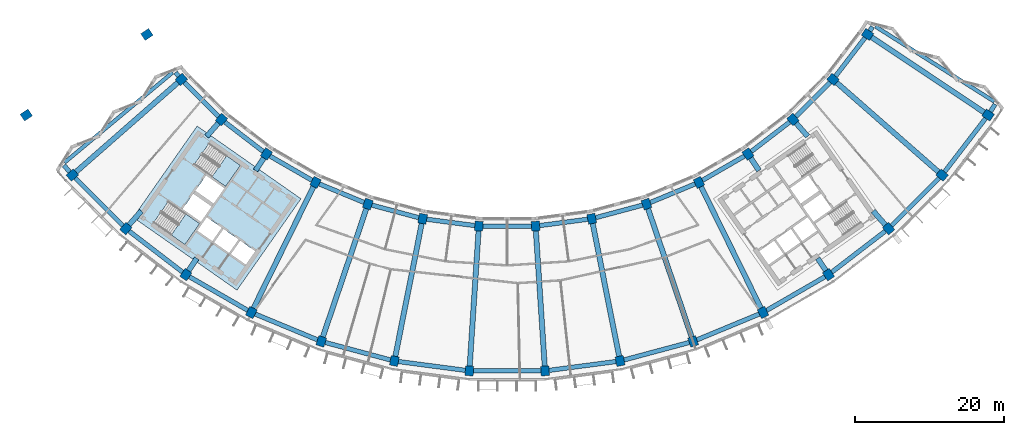
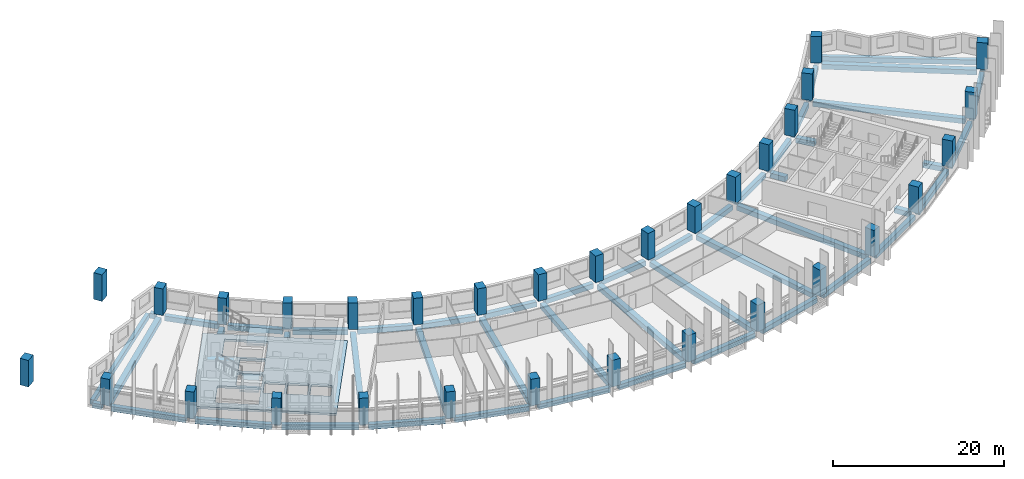
# One storey, part 1 of 26: 53 beams, 32 columns, 3 slabs, 2 elements without a shape of their own.
"""IFC4 building model written with IfcOpenShell, lengths in metres."""

import ifcopenshell
import ifcopenshell.guid

model = None  # the IFC model being written
_history = None  # IfcOwnerHistory: only IFC2X3 demands one
_inside = {}  # id of a spatial element -> (the spatial element, [elements in it])
_under = {}  # id of a project, library or spatial element -> (it, [spatial elements below it])
_declared = {}  # id of a project -> (the project, [libraries it declares])
_typed = {}  # id of a type object -> (the type object, [elements of that type])
_made_of = {}  # id of a material, layer set ... -> (it, [elements and type objects made of it])


def new_model(schema):
    """Start an empty IFC model of exactly this schema.

    Asked for "IFC4X3", IfcOpenShell would pick the latest addendum, in which some entities
    have other attributes; the version numbers below select the first issue.
    IFC2X3 requires an IfcOwnerHistory on every rooted entity: one is made here for all.
    """
    global model, _history
    if schema == "IFC4X3":
        model = ifcopenshell.file(schema_version=(4, 3, 0, 0))
    else:
        model = ifcopenshell.file(schema=schema)
    _inside.clear()
    _under.clear()
    _declared.clear()
    _typed.clear()
    _made_of.clear()
    _history = None
    if model.schema == "IFC2X3":
        org = make("IfcOrganization", Name="unknown")
        user = make(
            "IfcPersonAndOrganization",
            ThePerson=make("IfcPerson", FamilyName="unknown"),
            TheOrganization=org,
        )
        app = make(
            "IfcApplication",
            ApplicationDeveloper=org,
            Version="unknown",
            ApplicationFullName="unknown",
            ApplicationIdentifier="unknown",
        )
        _history = make(
            "IfcOwnerHistory",
            OwningUser=user,
            OwningApplication=app,
            ChangeAction="ADDED",
            CreationDate=0,
        )
    return model


def make(cls, **values):
    """One entity of the class cls with the attributes given. An attribute that is None is left unset."""
    return model.create_entity(
        cls, **{name: value for name, value in values.items() if value is not None}
    )


def rooted(cls, **values):
    """An entity with a GlobalId (a new one), such as an element, a storey or a relation."""
    return make(cls, GlobalId=ifcopenshell.guid.new(), OwnerHistory=_history, **values)


def si_unit(unit_type, name, prefix=None):
    """IfcSIUnit, for example si_unit("LENGTHUNIT", "METRE", prefix="MILLI")."""
    return make("IfcSIUnit", UnitType=unit_type, Prefix=prefix, Name=name)


def assignment(units):
    """IfcUnitAssignment: the units of a project."""
    return None if units is None else make("IfcUnitAssignment", Units=units)


def point(xyz):
    """IfcCartesianPoint."""
    return None if xyz is None else make("IfcCartesianPoint", Coordinates=xyz)


def direction(xyz):
    """IfcDirection."""
    return None if xyz is None else make("IfcDirection", DirectionRatios=xyz)


def frame(location, z_axis=None, x_axis=None):
    """IfcAxis2Placement3D, a coordinate frame: its origin and axes. An axis left out is left unset."""
    return make(
        "IfcAxis2Placement3D",
        Location=point(location),
        Axis=direction(z_axis),
        RefDirection=direction(x_axis),
    )


def frame_2d(location, x_axis=None):
    """IfcAxis2Placement2D, a coordinate frame in the plane: its origin and x axis."""
    return make(
        "IfcAxis2Placement2D", Location=point(location), RefDirection=direction(x_axis)
    )


def origin():
    """The frame at (0, 0, 0) with its axes left unset."""
    return frame((0.0, 0.0, 0.0))


def origin_2d():
    """The frame at (0, 0) in the plane with its x axis left unset."""
    return frame_2d((0.0, 0.0))


def place(relative_to, where):
    """IfcLocalPlacement: puts the frame where relative to a parent placement (None: the world)."""
    return make(
        "IfcLocalPlacement", PlacementRelTo=relative_to, RelativePlacement=where
    )


def context(
    kind, dimensions, precision=None, world=None, true_north=None, identifier=None
):
    """IfcGeometricRepresentationContext, for example the 3D "Model" context."""
    return make(
        "IfcGeometricRepresentationContext",
        ContextIdentifier=identifier,
        ContextType=kind,
        CoordinateSpaceDimension=dimensions,
        Precision=precision,
        WorldCoordinateSystem=world,
        TrueNorth=true_north,
    )


def subcontext(parent, identifier, kind, view, scale=None):
    """IfcGeometricRepresentationSubContext, for example "Body" below "Model"."""
    return make(
        "IfcGeometricRepresentationSubContext",
        ContextIdentifier=identifier,
        ContextType=kind,
        ParentContext=parent,
        TargetScale=scale,
        TargetView=view,
    )


def project(units=None, contexts=None):
    """IfcProject with its units and contexts."""
    return rooted(
        "IfcProject",
        Name="project",
        RepresentationContexts=contexts,
        UnitsInContext=assignment(units),
    )


def spatial(cls, under=None, at=None, **own):
    """A site, building, storey or space (cls), placed at a placement, below another one or the project."""
    s = rooted(cls, ObjectPlacement=at, **own)
    if under is not None:
        _under.setdefault(under.id(), (under, []))[1].append(s)
    return s


def polyline(points):
    """IfcPolyline through the points."""
    return make("IfcPolyline", Points=[point(p) for p in points])


def profile(cls, at=None, kind="AREA", **sizes):
    """A parametric profile (cls). Its sizes go by their IFC names, for example OverallWidth=200.0."""
    return make(cls, ProfileType=kind, Position=at, **sizes)


def rectangle(**sizes):
    """IfcRectangleProfileDef."""
    return profile("IfcRectangleProfileDef", **sizes)


def outline(outer, holes=None, kind="AREA"):
    """IfcArbitraryClosedProfileDef: a profile drawn as a closed curve; with holes, ...WithVoids."""
    if holes is None:
        return make("IfcArbitraryClosedProfileDef", ProfileType=kind, OuterCurve=outer)
    return make(
        "IfcArbitraryProfileDefWithVoids",
        ProfileType=kind,
        OuterCurve=outer,
        InnerCurves=holes,
    )


def extrude(swept, where, along, depth):
    """IfcExtrudedAreaSolid: the profile swept, set in the frame where, extruded along a direction by depth."""
    return make(
        "IfcExtrudedAreaSolid",
        SweptArea=swept,
        Position=where,
        ExtrudedDirection=direction(along),
        Depth=depth,
    )


def shape(context_of_items, identifier, shape_type, items):
    """IfcShapeRepresentation: the items that make up one representation, for example the "Body"."""
    return make(
        "IfcShapeRepresentation",
        ContextOfItems=context_of_items,
        RepresentationIdentifier=identifier,
        RepresentationType=shape_type,
        Items=items,
    )


def material(Name=None, Category=None):
    """IfcMaterial."""
    return make("IfcMaterial", Name=Name, Category=Category)


def layer(
    of_material, thickness, ventilated=None, Name=None, Category=None, Priority=None
):
    """IfcMaterialLayer: one layer of a wall or slab, of a material (None: an air gap)."""
    return make(
        "IfcMaterialLayer",
        Material=of_material,
        LayerThickness=thickness,
        IsVentilated=ventilated,
        Name=Name,
        Category=Category,
        Priority=Priority,
    )


def layer_set(layers, Name=None):
    """IfcMaterialLayerSet."""
    return make("IfcMaterialLayerSet", MaterialLayers=layers, LayerSetName=Name)


def material_profile(
    of_material, cross_section, Name=None, Category=None, Priority=None
):
    """IfcMaterialProfile: a cross section and its material."""
    return make(
        "IfcMaterialProfile",
        Name=Name,
        Material=of_material,
        Profile=cross_section,
        Priority=Priority,
        Category=Category,
    )


def profile_set(profiles, Name=None, composite=None):
    """IfcMaterialProfileSet."""
    return make(
        "IfcMaterialProfileSet",
        Name=Name,
        MaterialProfiles=profiles,
        CompositeProfile=composite,
    )


def made_of(thing, what):
    """Note that an element or type object is made of a material, layer set ...; save() writes the relation."""
    if what is not None:
        _made_of.setdefault(what.id(), (what, []))[1].append(thing)
    return thing


def type_object(cls, material=None, **own):
    """A type object (cls), such as IfcWallType, which elements share."""
    return made_of(rooted(cls, **own), material)


def element(
    cls,
    number,
    at=None,
    inside=None,
    cuts=None,
    type_object=None,
    material=None,
    context=None,
    identifier="Body",
    shape_type=None,
    held_by="IfcProductDefinitionShape",
    body=None,
    shapes=None,
    **own,
):
    """One element of the class cls, such as IfcWall. Its Tag is "e" and its number.

    at: its placement. inside: the storey or other place that contains it. cuts: it is an
    opening in that element (IfcRelVoidsElement). A single representation is given by context,
    identifier, shape_type and body (its items); several are given by shapes. held_by: the class
    of the entity that holds the representations. save() writes the other relations.
    """
    e = rooted(cls, Tag="e%d" % number, ObjectPlacement=at, **own)
    if body is not None:
        shapes = [shape(context, identifier, shape_type, body)]
    if shapes is not None:
        e.Representation = make(held_by, Representations=shapes)
    if inside is not None:
        _inside.setdefault(inside.id(), (inside, []))[1].append(e)
    if cuts is not None:
        rooted(
            "IfcRelVoidsElement", RelatingBuildingElement=cuts, RelatedOpeningElement=e
        )
    if type_object is not None:
        _typed.setdefault(type_object.id(), (type_object, []))[1].append(e)
    return made_of(e, material)


def aggregate(whole, parts):
    """IfcRelAggregates: a whole, such as a stair, and the parts it consists of."""
    return rooted("IfcRelAggregates", RelatingObject=whole, RelatedObjects=parts)


def save(model, path):
    """Write the relations noted so far, then the file.

    IfcRelAggregates (storeys below a building ...), IfcRelContainedInSpatialStructure (elements
    in a storey), IfcRelDefinesByType, IfcRelAssociatesMaterial and IfcRelDeclares: one each for
    every whole, place, type object, material and project.
    """
    for whole, parts in _under.values():
        aggregate(whole, parts)
    for where, things in _inside.values():
        rooted(
            "IfcRelContainedInSpatialStructure",
            RelatedElements=things,
            RelatingStructure=where,
        )
    for kind, things in _typed.values():
        rooted("IfcRelDefinesByType", RelatedObjects=things, RelatingType=kind)
    for what, things in _made_of.values():
        rooted("IfcRelAssociatesMaterial", RelatedObjects=things, RelatingMaterial=what)
    for by, libraries in _declared.values():
        rooted("IfcRelDeclares", RelatingContext=by, RelatedDefinitions=libraries)
    model.write(path)


model = new_model("IFC4")

# Units and contexts
model_context = context("Model", 3, precision=1e-05, world=origin(), true_north=direction((0.0, 1.0)))
body_context = subcontext(model_context, "Body", "Model", "MODEL_VIEW")
ifc_project = project(units=[si_unit("LENGTHUNIT", "METRE"), si_unit("AREAUNIT", "SQUARE_METRE"), si_unit("VOLUMEUNIT", "CUBIC_METRE"), si_unit("PLANEANGLEUNIT", "RADIAN"), si_unit("MASSUNIT", "GRAM", prefix="KILO")], contexts=[model_context])

# Site, building, storey
site_placement = place(None, origin())
site = spatial("IfcSite", under=ifc_project, at=site_placement, CompositionType="ELEMENT")
building_placement = place(site_placement, origin())
building = spatial("IfcBuilding", under=site, at=building_placement, Name="Qamariyya Broadcast Tower", CompositionType="ELEMENT")
storey_placement = place(building_placement, frame((0.0, 0.0, 156.89990234375)))
storey = spatial("IfcBuildingStorey", under=building, at=storey_placement, Name="L36", CompositionType="ELEMENT", Elevation=156.89990234375)

# Columns
ifc_material_1 = material(Name="Concrete C60/75", Category="concrete")
ifc_material_profile_1 = material_profile(ifc_material_1, rectangle(XDim=1.10009765625, YDim=1.300048828125, at=origin_2d()))
ifc_profile_set_1 = profile_set([ifc_material_profile_1], Name="Concrete C60/75")
column_type = type_object("IfcColumnType", Name="RC column 1100 x 1300 C60/75", PredefinedType="COLUMN", material=ifc_profile_set_1)
for number, where, z_axis, x_axis, name in (
    (1, (-43.794677734375, -38.406982421875, 0.0), (0.0, 0.0, 1.0), (0.6593458151, -0.751839807479, 0.0), "Column C8 L36 B-R04"),
    (2, (-58.45556640625, -51.26416015625, 0.0), (0.0, 0.0, 1.0), (0.6593458151, -0.751839807479, 0.0), "Column C8 L36 C-R04"),
    (3, (-38.406982421875, -43.794677734375, 0.0), (0.0, 0.0, 1.0), (0.751839807479, -0.6593458151, 0.0), "Column C8 L36 B-R05"),
    (4, (-51.26416015625, -58.45556640625, 0.0), (0.0, 0.0, 1.0), (0.751839807479, -0.6593458151, 0.0), "Column C8 L36 C-R05"),
    (5, (-32.362060546875, -48.43310546875, 0.0), (0.0, 0.0, 1.0), (0.831469612303, -0.55557023302, 0.0), "Column C8 L36 B-R06"),
    (6, (-43.195556640625, -64.646728515625, 0.0), (0.0, 0.0, 1.0), (0.831469612303, -0.55557023302, 0.0), "Column C8 L36 C-R06"),
    (7, (-25.763427734375, -52.242919921875, 0.0), (0.0, 0.0, 1.0), (0.896872741533, -0.442288690219, 0.0), "Column C8 L36 B-R07"),
    (8, (-34.387939453125, -69.73193359375, 0.0), (0.0, 0.0, 1.0), (0.896872741533, -0.442288690219, 0.0), "Column C8 L36 C-R07"),
    (9, (-18.723876953125, -55.15869140625, 0.0), (0.0, 0.0, 1.0), (0.946930129495, -0.321439465303, 0.0), "Column C8 L36 B-R08"),
    (10, (-24.991943359375, -73.623779296875, 0.0), (0.0, 0.0, 1.0), (0.946930129495, -0.321439465303, 0.0), "Column C8 L36 C-R08"),
    (11, (-11.364013671875, -57.130859375, 0.0), (0.0, 0.0, 1.0), (0.980785280403, -0.195090322016, 0.0), "Column C8 L36 B-R09"),
    (12, (-15.168212890625, -76.256103515625, 0.0), (0.0, 0.0, 1.0), (0.980785280403, -0.195090322016, 0.0), "Column C8 L36 C-R09"),
    (13, (-3.809814453125, -58.125244140625, 0.0), (0.0, 0.0, 1.0), (0.997858923239, -0.06540312923, 0.0), "Column C8 L36 B-R10"),
    (14, (-5.085205078125, -77.58349609375, 0.0), (0.0, 0.0, 1.0), (0.997858923239, -0.06540312923, 0.0), "Column C8 L36 C-R10"),
    (15, (3.809814453125, -58.125244140625, 0.0), (0.0, 0.0, 1.0), (0.997858923239, 0.06540312923, 0.0), "Column C8 L36 B-R11"),
    (16, (5.085205078125, -77.58349609375, 0.0), (0.0, 0.0, 1.0), (0.997858923239, 0.06540312923, 0.0), "Column C8 L36 C-R11"),
    (17, (11.364013671875, -57.130859375, 0.0), (0.0, 0.0, 1.0), (0.980785280403, 0.195090322016, 0.0), "Column C8 L36 B-R12"),
    (18, (15.168212890625, -76.256103515625, 0.0), (0.0, 0.0, 1.0), (0.980785280403, 0.195090322016, 0.0), "Column C8 L36 C-R12"),
    (19, (18.723876953125, -55.15869140625, 0.0), (0.0, 0.0, 1.0), (0.946930129495, 0.321439465303, 0.0), "Column C8 L36 B-R13"),
    (20, (24.991943359375, -73.623779296875, 0.0), (0.0, 0.0, 1.0), (0.946930129495, 0.321439465303, 0.0), "Column C8 L36 C-R13"),
    (21, (25.763427734375, -52.242919921875, 0.0), (0.0, 0.0, 1.0), (0.896872741533, 0.442288690219, 0.0), "Column C8 L36 B-R14"),
    (22, (34.387939453125, -69.73193359375, 0.0), (0.0, 0.0, 1.0), (0.896872741533, 0.442288690219, 0.0), "Column C8 L36 C-R14"),
    (23, (32.362060546875, -48.43310546875, 0.0), (0.0, 0.0, 1.0), (0.831469612303, 0.55557023302, 0.0), "Column C8 L36 B-R15"),
    (24, (43.195556640625, -64.646728515625, 0.0), (0.0, 0.0, 1.0), (0.831469612303, 0.55557023302, 0.0), "Column C8 L36 C-R15"),
    (25, (38.406982421875, -43.794677734375, 0.0), (0.0, 0.0, 1.0), (0.751839807479, 0.6593458151, 0.0), "Column C8 L36 B-R16"),
    (26, (51.26416015625, -58.45556640625, 0.0), (0.0, 0.0, 1.0), (0.751839807479, 0.6593458151, 0.0), "Column C8 L36 C-R16"),
    (27, (43.794677734375, -38.406982421875, 0.0), (0.0, 0.0, 1.0), (0.6593458151, 0.751839807479, 0.0), "Column C8 L36 B-R17"),
    (28, (58.45556640625, -51.26416015625, 0.0), (0.0, 0.0, 1.0), (0.6593458151, 0.751839807479, 0.0), "Column C8 L36 C-R17"),
    (29, (48.43310546875, -32.362060546875, 0.0), (0.0, 0.0, 1.0), (0.55557023302, 0.831469612303, 0.0), "Column C8 L36 B-R18"),
    (30, (64.646728515625, -43.195556640625, 0.0), (0.0, 0.0, 1.0), (0.55557023302, 0.831469612303, 0.0), "Column C8 L36 C-R18"),
    (31, (-48.43310546875, -32.362060546875, 0.0), (0.0, 0.0, 1.0), (0.55557023302, -0.831469612303, 0.0), "Column C8 L36 B-R03"),
    (32, (-64.646728515625, -43.195556640625, 0.0), (0.0, 0.0, 1.0), (0.55557023302, -0.831469612303, 0.0), "Column C8 L36 C-R03"),
):
    element("IfcColumn", number, at=place(storey_placement, frame(where, z_axis=z_axis, x_axis=x_axis)), inside=storey, type_object=column_type, Name=name, PredefinedType="COLUMN", context=body_context, shape_type="SweptSolid", body=[
        extrude(rectangle(XDim=1.10009765625, YDim=1.300048828125, at=origin_2d()), origin(), (0.0, 0.0, 1.0), 3.800048828125),
    ])

# Beams
ifc_material_2 = material(Name="Concrete C40/50", Category="concrete")
ifc_material_profile_2 = material_profile(ifc_material_2, rectangle(XDim=0.60009765625, YDim=0.699951171875, at=origin_2d()))
ifc_profile_set_2 = profile_set([ifc_material_profile_2], Name="Concrete C40/50")
beam_type_1 = type_object("IfcBeamType", Name="RC edge beam 600 x 700 C40/50", PredefinedType="SPANDREL", material=ifc_profile_set_2)
for number, where, z_axis, x_axis, name in (
    (33, (-43.405029296875, -38.796630859375, -0.64990234375), (0.707106781187, -0.707106781187, 0.0), (0.707106781187, 0.707106781187, 0.0), "Edge beam B20 L36 B R04-R05"),
    (34, (-37.9697265625, -44.130126953125, -0.64990234375), (0.793343406719, -0.608774374473, 0.0), (0.608774374473, 0.793343406719, 0.0), "Edge beam B20 L36 B R05-R06"),
):
    element("IfcBeam", number, at=place(storey_placement, frame(where, z_axis=z_axis, x_axis=x_axis)), inside=storey, type_object=beam_type_1, Name=name, PredefinedType="SPANDREL", context=body_context, shape_type="SweptSolid", body=[
        extrude(rectangle(XDim=0.60009765625, YDim=0.699951171875, at=origin_2d()), origin(), (0.0, 0.0, 1.0), 6.517333984375),
    ])
beam_1_placement = place(storey_placement, frame((-31.884521484375, -48.708740234375, -0.64990234375), z_axis=(0.866019015165, -0.500011065251, 0.0), x_axis=(0.500011065251, 0.866019015165, 0.0)))
element("IfcBeam", 35, at=beam_1_placement, inside=storey, type_object=beam_type_1, Name="Edge beam B20 L36 B R06-R07", PredefinedType="SPANDREL", context=body_context, shape_type="SweptSolid", body=[
    extrude(rectangle(XDim=0.60009765625, YDim=0.699951171875, at=origin_2d()), origin(), (0.0, 0.0, 1.0), 6.516845703125),
])
for number, where, z_axis, x_axis, name in (
    (36, (-25.254150390625, -52.453857421875, -0.64990234375), (0.923883967792, -0.382672724475, 0.0), (0.382672724475, 0.923883967792, 0.0), "Edge beam B20 L36 B R07-R08"),
    (37, (-18.19140625, -55.30126953125, -0.64990234375), (0.965923971679, -0.258825966504, 0.0), (0.258825966504, 0.965923971679, 0.0), "Edge beam B20 L36 B R08-R09"),
    (38, (-10.817626953125, -57.20263671875, -0.64990234375), (0.991446388377, -0.130514592953, 0.0), (0.130514592953, 0.991446388377, 0.0), "Edge beam B20 L36 B R09-R10"),
    (39, (-3.258544921875, -58.125244140625, -0.64990234375), (1.0, 0.0, 0.0), (0.0, 1.0, 0.0), "Edge beam B20 L36 B R10-R11"),
    (40, (4.356201171875, -58.05322265625, -0.64990234375), (0.991446388377, 0.130514592953, 0.0), (-0.130514592953, 0.991446388377, 0.0), "Edge beam B20 L36 B R11-R12"),
    (41, (11.896484375, -56.988037109375, -0.64990234375), (0.965923971679, 0.258825966504, 0.0), (-0.258825966504, 0.965923971679, 0.0), "Edge beam B20 L36 B R12-R13"),
    (42, (19.233154296875, -54.94775390625, -0.64990234375), (0.923883967792, 0.382672724475, 0.0), (-0.382672724475, 0.923883967792, 0.0), "Edge beam B20 L36 B R13-R14"),
):
    element("IfcBeam", number, at=place(storey_placement, frame(where, z_axis=z_axis, x_axis=x_axis)), inside=storey, type_object=beam_type_1, Name=name, PredefinedType="SPANDREL", context=body_context, shape_type="SweptSolid", body=[
        extrude(rectangle(XDim=0.60009765625, YDim=0.699951171875, at=origin_2d()), origin(), (0.0, 0.0, 1.0), 6.51708984375),
    ])
beam_2_placement = place(storey_placement, frame((26.24072265625, -51.96728515625, -0.64990234375), z_axis=(0.866019015165, 0.500011065251, 0.0), x_axis=(-0.500011065251, 0.866019015165, 0.0)))
element("IfcBeam", 43, at=beam_2_placement, inside=storey, type_object=beam_type_1, Name="Edge beam B20 L36 B R14-R15", PredefinedType="SPANDREL", context=body_context, shape_type="SweptSolid", body=[
    extrude(rectangle(XDim=0.60009765625, YDim=0.699951171875, at=origin_2d()), origin(), (0.0, 0.0, 1.0), 6.516845703125),
])
for number, where, z_axis, x_axis, name in (
    (44, (32.79931640625, -48.09765625, -0.64990234375), (0.793343406719, 0.608774374473, 0.0), (-0.608774374473, 0.793343406719, 0.0), "Edge beam B20 L36 B R15-R16"),
    (45, (38.796630859375, -43.405029296875, -0.64990234375), (0.707106781187, 0.707106781187, 0.0), (-0.707106781187, 0.707106781187, 0.0), "Edge beam B20 L36 B R16-R17"),
    (46, (44.130126953125, -37.9697265625, -0.64990234375), (0.608774374473, 0.793343406719, 0.0), (-0.793343406719, 0.608774374473, 0.0), "Edge beam B20 L36 B R17-R18"),
):
    element("IfcBeam", number, at=place(storey_placement, frame(where, z_axis=z_axis, x_axis=x_axis)), inside=storey, type_object=beam_type_1, Name=name, PredefinedType="SPANDREL", context=body_context, shape_type="SweptSolid", body=[
        extrude(rectangle(XDim=0.60009765625, YDim=0.699951171875, at=origin_2d()), origin(), (0.0, 0.0, 1.0), 6.517333984375),
    ])
beam_3_placement = place(storey_placement, frame((-58.06591796875, -51.65380859375, -0.64990234375), z_axis=(0.707106781187, -0.707106781187, 0.0), x_axis=(0.707106781187, 0.707106781187, 0.0)))
element("IfcBeam", 47, at=beam_3_placement, inside=storey, type_object=beam_type_1, Name="Edge beam B20 L36 C R04-R05", PredefinedType="SPANDREL", context=body_context, shape_type="SweptSolid", body=[
    extrude(rectangle(XDim=0.60009765625, YDim=0.699951171875, at=origin_2d()), origin(), (0.0, 0.0, 1.0), 9.068115234375),
])
for number, where, z_axis, x_axis, name in (
    (48, (-50.826904296875, -58.791015625, -0.64990234375), (0.793351056372, -0.608764405458, 0.0), (0.608764405458, 0.793351056372, 0.0), "Edge beam B20 L36 C R05-R06"),
    (49, (-42.71826171875, -64.92236328125, -0.64990234375), (0.866025972227, -0.499999015427, 0.0), (0.499999015427, 0.866025972227, 0.0), "Edge beam B20 L36 C R06-R07"),
):
    element("IfcBeam", number, at=place(storey_placement, frame(where, z_axis=z_axis, x_axis=x_axis)), inside=storey, type_object=beam_type_1, Name=name, PredefinedType="SPANDREL", context=body_context, shape_type="SweptSolid", body=[
        extrude(rectangle(XDim=0.60009765625, YDim=0.699951171875, at=origin_2d()), origin(), (0.0, 0.0, 1.0), 9.06787109375),
    ])
beam_4_placement = place(storey_placement, frame((-33.878662109375, -69.94287109375, -0.64990234375), z_axis=(0.923882618409, -0.382675982265, 0.0), x_axis=(0.382675982265, 0.923882618409, 0.0)))
element("IfcBeam", 50, at=beam_4_placement, inside=storey, type_object=beam_type_1, Name="Edge beam B20 L36 C R07-R08", PredefinedType="SPANDREL", context=body_context, shape_type="SweptSolid", body=[
    extrude(rectangle(XDim=0.60009765625, YDim=0.699951171875, at=origin_2d()), origin(), (0.0, 0.0, 1.0), 9.067626953125),
])
for number, where, z_axis, x_axis, name in (
    (51, (-24.45947265625, -73.766357421875, -0.64990234375), (0.965925457615, -0.258820421007, 0.0), (0.258820421007, 0.965925457615, 0.0), "Edge beam B20 L36 C R08-R09"),
    (52, (-14.621826171875, -76.327880859375, -0.64990234375), (0.991444762322, -0.130526944594, 0.0), (0.130526944594, 0.991444762322, 0.0), "Edge beam B20 L36 C R09-R10"),
    (53, (-4.533935546875, -77.58349609375, -0.64990234375), (1.0, 0.0, 0.0), (0.0, 1.0, 0.0), "Edge beam B20 L36 C R10-R11"),
    (54, (5.631591796875, -77.511474609375, -0.64990234375), (0.991444762322, 0.130526944594, 0.0), (-0.130526944594, 0.991444762322, 0.0), "Edge beam B20 L36 C R11-R12"),
    (55, (15.70068359375, -76.11328125, -0.64990234375), (0.965925457615, 0.258820421007, 0.0), (-0.258820421007, 0.965925457615, 0.0), "Edge beam B20 L36 C R12-R13"),
):
    element("IfcBeam", number, at=place(storey_placement, frame(where, z_axis=z_axis, x_axis=x_axis)), inside=storey, type_object=beam_type_1, Name=name, PredefinedType="SPANDREL", context=body_context, shape_type="SweptSolid", body=[
        extrude(rectangle(XDim=0.60009765625, YDim=0.699951171875, at=origin_2d()), origin(), (0.0, 0.0, 1.0), 9.06787109375),
    ])
beam_5_placement = place(storey_placement, frame((25.501220703125, -73.412841796875, -0.64990234375), z_axis=(0.923882618409, 0.382675982265, 0.0), x_axis=(-0.382675982265, 0.923882618409, 0.0)))
element("IfcBeam", 56, at=beam_5_placement, inside=storey, type_object=beam_type_1, Name="Edge beam B20 L36 C R13-R14", PredefinedType="SPANDREL", context=body_context, shape_type="SweptSolid", body=[
    extrude(rectangle(XDim=0.60009765625, YDim=0.699951171875, at=origin_2d()), origin(), (0.0, 0.0, 1.0), 9.067626953125),
])
for number, where, z_axis, x_axis, name in (
    (57, (34.865234375, -69.456298828125, -0.64990234375), (0.866025972227, 0.499999015427, 0.0), (-0.499999015427, 0.866025972227, 0.0), "Edge beam B20 L36 C R14-R15"),
    (58, (43.6328125, -64.311279296875, -0.64990234375), (0.793351056372, 0.608764405458, 0.0), (-0.608764405458, 0.793351056372, 0.0), "Edge beam B20 L36 C R15-R16"),
):
    element("IfcBeam", number, at=place(storey_placement, frame(where, z_axis=z_axis, x_axis=x_axis)), inside=storey, type_object=beam_type_1, Name=name, PredefinedType="SPANDREL", context=body_context, shape_type="SweptSolid", body=[
        extrude(rectangle(XDim=0.60009765625, YDim=0.699951171875, at=origin_2d()), origin(), (0.0, 0.0, 1.0), 9.06787109375),
    ])
beam_6_placement = place(storey_placement, frame((51.65380859375, -58.06591796875, -0.64990234375), z_axis=(0.707106781187, 0.707106781187, 0.0), x_axis=(-0.707106781187, 0.707106781187, 0.0)))
element("IfcBeam", 59, at=beam_6_placement, inside=storey, type_object=beam_type_1, Name="Edge beam B20 L36 C R16-R17", PredefinedType="SPANDREL", context=body_context, shape_type="SweptSolid", body=[
    extrude(rectangle(XDim=0.60009765625, YDim=0.699951171875, at=origin_2d()), origin(), (0.0, 0.0, 1.0), 9.068115234375),
])
beam_7_placement = place(storey_placement, frame((58.791015625, -50.826904296875, -0.64990234375), z_axis=(0.608764405458, 0.793351056372, 0.0), x_axis=(-0.793351056372, 0.608764405458, 0.0)))
element("IfcBeam", 60, at=beam_7_placement, inside=storey, type_object=beam_type_1, Name="Edge beam B20 L36 C R17-R18", PredefinedType="SPANDREL", context=body_context, shape_type="SweptSolid", body=[
    extrude(rectangle(XDim=0.60009765625, YDim=0.699951171875, at=origin_2d()), origin(), (0.0, 0.0, 1.0), 9.06787109375),
])
ifc_material_profile_3 = material_profile(ifc_material_2, rectangle(XDim=0.60009765625, YDim=0.699951171875, at=origin_2d()))
ifc_profile_set_3 = profile_set([ifc_material_profile_3], Name="Concrete C40/50")
beam_type_2 = type_object("IfcBeamType", Name="RC horn beam 600 x 700 C40/50", PredefinedType="BEAM", material=ifc_profile_set_3)
beam_8_placement = place(storey_placement, frame((-44.152099609375, -37.98876953125, -0.64990234375), z_axis=(-0.649750890018, 0.760147210033, 0.0), x_axis=(-0.760147210033, -0.649750890018, 0.0)))
element("IfcBeam", 61, at=beam_8_placement, inside=storey, type_object=beam_type_2, Name="Horn beam B19 L36 W B-R04", PredefinedType="BEAM", context=body_context, shape_type="SweptSolid", body=[
    extrude(rectangle(XDim=0.60009765625, YDim=0.699951171875, at=origin_2d()), origin(), (0.0, 0.0, 1.0), 0.6767578125),
])
beam_9_placement = place(storey_placement, frame((-58.81298828125, -50.845947265625, -0.64990234375), z_axis=(-0.64970927456, 0.760182779699, 0.0), x_axis=(-0.760182779699, -0.64970927456, 0.0)))
element("IfcBeam", 62, at=beam_9_placement, inside=storey, type_object=beam_type_2, Name="Horn beam B19 L36 W C-R04", PredefinedType="BEAM", context=body_context, shape_type="SweptSolid", body=[
    extrude(rectangle(XDim=0.60009765625, YDim=0.699951171875, at=origin_2d()), origin(), (0.0, 0.0, 1.0), 1.17138671875),
])
beam_10_placement = place(storey_placement, frame((48.73291015625, -31.90087890625, -0.64990234375), z_axis=(0.544924967908, 0.838484811639, 0.0), x_axis=(-0.838484811639, 0.544924967908, 0.0)))
element("IfcBeam", 63, at=beam_10_placement, inside=storey, type_object=beam_type_2, Name="Horn beam B19 L36 E B-R18", PredefinedType="BEAM", context=body_context, shape_type="SweptSolid", body=[
    extrude(rectangle(XDim=0.60009765625, YDim=0.699951171875, at=origin_2d()), origin(), (0.0, 0.0, 1.0), 0.677001953125),
])
beam_11_placement = place(storey_placement, frame((64.946533203125, -42.734375, -0.64990234375), z_axis=(0.54509092187, 0.838376936047, 0.0), x_axis=(-0.838376936047, 0.54509092187, 0.0)))
element("IfcBeam", 64, at=beam_11_placement, inside=storey, type_object=beam_type_2, Name="Horn beam B19 L36 E C-R18", PredefinedType="BEAM", context=body_context, shape_type="SweptSolid", body=[
    extrude(rectangle(XDim=0.60009765625, YDim=0.699951171875, at=origin_2d()), origin(), (0.0, 0.0, 1.0), 1.171142578125),
])
ifc_material_profile_4 = material_profile(ifc_material_2, rectangle(XDim=0.5, YDim=0.699951171875, at=origin_2d()))
ifc_profile_set_4 = profile_set([ifc_material_profile_4], Name="Concrete C40/50")
beam_type_3 = type_object("IfcBeamType", Name="RC horn cap beam 500 x 700 C40/50", PredefinedType="BEAM", material=ifc_profile_set_4)
for number, where, z_axis, x_axis, name in (
    (65, (-44.98486328125, -37.476318359375, -0.64990234375), (-0.768310212712, -0.640077664852, 0.0), (0.640077664852, -0.768310212712, 0.0), "Horn cap beam B21 L36 W B-C"),
    (66, (49.49169921875, -31.283935546875, -0.64990234375), (0.845288403382, -0.534310317238, 0.0), (0.534310317238, 0.845288403382, 0.0), "Horn cap beam B21 L36 E B-C"),
):
    element("IfcBeam", number, at=place(storey_placement, frame(where, z_axis=z_axis, x_axis=x_axis)), inside=storey, type_object=beam_type_3, Name=name, PredefinedType="BEAM", context=body_context, shape_type="SweptSolid", body=[
        extrude(rectangle(XDim=0.5, YDim=0.699951171875, at=origin_2d()), origin(), (0.0, 0.0, 1.0), 18.89990234375),
    ])
ifc_material_profile_5 = material_profile(ifc_material_2, rectangle(XDim=0.699951171875, YDim=0.699951171875, at=origin_2d()))
ifc_profile_set_5 = profile_set([ifc_material_profile_5], Name="Concrete C40/50")
beam_type_4 = type_object("IfcBeamType", Name="RC radial beam 700 x 700 C40/50", PredefinedType="BEAM", material=ifc_profile_set_5)
beam_12_placement = place(storey_placement, frame((-44.283447265625, -38.83544921875, -0.64990234375), z_axis=(-0.751839141307, -0.659346574723, 0.0), x_axis=(0.659346574723, -0.751839141307, 0.0)))
element("IfcBeam", 67, at=beam_12_placement, inside=storey, type_object=beam_type_4, Name="Radial beam B18 L36 R04 B-C", PredefinedType="BEAM", context=body_context, shape_type="SweptSolid", body=[
    extrude(rectangle(XDim=0.699951171875, YDim=0.699951171875, at=origin_2d()), origin(), (0.0, 0.0, 1.0), 18.199951171875),
])
beam_13_placement = place(storey_placement, frame((-38.83544921875, -44.283447265625, -0.64990234375), z_axis=(-0.659381501846, -0.751808509544, 0.0), x_axis=(0.751808509544, -0.659381501846, 0.0)))
element("IfcBeam", 68, at=beam_13_placement, inside=storey, type_object=beam_type_4, Name="Radial beam B18 L36 R05 B-C", PredefinedType="BEAM", context=body_context, shape_type="SweptSolid", body=[
    extrude(rectangle(XDim=0.699951171875, YDim=0.699951171875, at=origin_2d()), origin(), (0.0, 0.0, 1.0), 2.364013671875),
])
beam_14_placement = place(storey_placement, frame((-49.1943359375, -56.095458984375, -0.64990234375), z_axis=(-0.659344451764, -0.75184100309, 0.0), x_axis=(0.75184100309, -0.659344451764, 0.0)))
element("IfcBeam", 69, at=beam_14_placement, inside=storey, type_object=beam_type_4, Name="Radial beam B18 L36 R05 B-C", PredefinedType="BEAM", context=body_context, shape_type="SweptSolid", body=[
    extrude(rectangle(XDim=0.699951171875, YDim=0.699951171875, at=origin_2d()), origin(), (0.0, 0.0, 1.0), 2.489013671875),
])
beam_15_placement = place(storey_placement, frame((-32.72314453125, -48.9736328125, -0.64990234375), z_axis=(-0.555594913414, -0.83145312086, 0.0), x_axis=(0.83145312086, -0.555594913414, 0.0)))
element("IfcBeam", 70, at=beam_15_placement, inside=storey, type_object=beam_type_4, Name="Radial beam B18 L36 R06 B-C", PredefinedType="BEAM", context=body_context, shape_type="SweptSolid", body=[
    extrude(rectangle(XDim=0.699951171875, YDim=0.699951171875, at=origin_2d()), origin(), (0.0, 0.0, 1.0), 2.014404296875),
])
beam_16_placement = place(storey_placement, frame((-41.733154296875, -62.458251953125, -0.64990234375), z_axis=(-0.555637861027, -0.831424420734, 0.0), x_axis=(0.831424420734, -0.555637861027, 0.0)))
element("IfcBeam", 71, at=beam_16_placement, inside=storey, type_object=beam_type_4, Name="Radial beam B18 L36 R06 B-C", PredefinedType="BEAM", context=body_context, shape_type="SweptSolid", body=[
    extrude(rectangle(XDim=0.699951171875, YDim=0.699951171875, at=origin_2d()), origin(), (0.0, 0.0, 1.0), 1.982177734375),
])
beam_17_placement = place(storey_placement, frame((-26.05078125, -52.82568359375, -0.64990234375), z_axis=(-0.44228110273, -0.896876483228, 0.0), x_axis=(0.896876483228, -0.44228110273, 0.0)))
element("IfcBeam", 72, at=beam_17_placement, inside=storey, type_object=beam_type_4, Name="Radial beam B18 L36 R07 B-C", PredefinedType="BEAM", context=body_context, shape_type="SweptSolid", body=[
    extrude(rectangle(XDim=0.699951171875, YDim=0.699951171875, at=origin_2d()), origin(), (0.0, 0.0, 1.0), 18.2001953125),
])
beam_18_placement = place(storey_placement, frame((-18.932861328125, -55.774169921875, -0.64990234375), z_axis=(-0.321434466477, -0.946931826353, 0.0), x_axis=(0.946931826353, -0.321434466477, 0.0)))
element("IfcBeam", 73, at=beam_18_placement, inside=storey, type_object=beam_type_4, Name="Radial beam B18 L36 R08 B-C", PredefinedType="BEAM", context=body_context, shape_type="SweptSolid", body=[
    extrude(rectangle(XDim=0.699951171875, YDim=0.699951171875, at=origin_2d()), origin(), (0.0, 0.0, 1.0), 18.199951171875),
])
beam_19_placement = place(storey_placement, frame((-11.49072265625, -57.768310546875, -0.64990234375), z_axis=(-0.195097061093, -0.980783939893, 0.0), x_axis=(0.980783939893, -0.195097061093, 0.0)))
element("IfcBeam", 74, at=beam_19_placement, inside=storey, type_object=beam_type_4, Name="Radial beam B18 L36 R09 B-C", PredefinedType="BEAM", context=body_context, shape_type="SweptSolid", body=[
    extrude(rectangle(XDim=0.699951171875, YDim=0.699951171875, at=origin_2d()), origin(), (0.0, 0.0, 1.0), 18.2001953125),
])
for number, where, z_axis, x_axis, name in (
    (75, (-3.852294921875, -58.77392578125, -0.64990234375), (-0.065395361188, -0.997859432353, 0.0), (0.997859432353, -0.065395361188, 0.0), "Radial beam B18 L36 R10 B-C"),
    (76, (3.852294921875, -58.77392578125, -0.64990234375), (0.065395361188, -0.997859432353, 0.0), (0.997859432353, 0.065395361188, 0.0), "Radial beam B18 L36 R11 B-C"),
):
    element("IfcBeam", number, at=place(storey_placement, frame(where, z_axis=z_axis, x_axis=x_axis)), inside=storey, type_object=beam_type_4, Name=name, PredefinedType="BEAM", context=body_context, shape_type="SweptSolid", body=[
        extrude(rectangle(XDim=0.699951171875, YDim=0.699951171875, at=origin_2d()), origin(), (0.0, 0.0, 1.0), 18.199951171875),
    ])
beam_20_placement = place(storey_placement, frame((11.49072265625, -57.768310546875, -0.64990234375), z_axis=(0.195097061093, -0.980783939893, 0.0), x_axis=(0.980783939893, 0.195097061093, 0.0)))
element("IfcBeam", 77, at=beam_20_placement, inside=storey, type_object=beam_type_4, Name="Radial beam B18 L36 R12 B-C", PredefinedType="BEAM", context=body_context, shape_type="SweptSolid", body=[
    extrude(rectangle(XDim=0.699951171875, YDim=0.699951171875, at=origin_2d()), origin(), (0.0, 0.0, 1.0), 18.2001953125),
])
beam_21_placement = place(storey_placement, frame((18.932861328125, -55.774169921875, -0.64990234375), z_axis=(0.321434466477, -0.946931826353, 0.0), x_axis=(0.946931826353, 0.321434466477, 0.0)))
element("IfcBeam", 78, at=beam_21_placement, inside=storey, type_object=beam_type_4, Name="Radial beam B18 L36 R13 B-C", PredefinedType="BEAM", context=body_context, shape_type="SweptSolid", body=[
    extrude(rectangle(XDim=0.699951171875, YDim=0.699951171875, at=origin_2d()), origin(), (0.0, 0.0, 1.0), 18.199951171875),
])
beam_22_placement = place(storey_placement, frame((26.05078125, -52.82568359375, -0.64990234375), z_axis=(0.44228110273, -0.896876483228, 0.0), x_axis=(0.896876483228, 0.44228110273, 0.0)))
element("IfcBeam", 79, at=beam_22_placement, inside=storey, type_object=beam_type_4, Name="Radial beam B18 L36 R14 B-C", PredefinedType="BEAM", context=body_context, shape_type="SweptSolid", body=[
    extrude(rectangle(XDim=0.699951171875, YDim=0.699951171875, at=origin_2d()), origin(), (0.0, 0.0, 1.0), 18.2001953125),
])
beam_23_placement = place(storey_placement, frame((32.72314453125, -48.9736328125, -0.64990234375), z_axis=(0.555594913414, -0.83145312086, 0.0), x_axis=(0.83145312086, 0.555594913414, 0.0)))
element("IfcBeam", 80, at=beam_23_placement, inside=storey, type_object=beam_type_4, Name="Radial beam B18 L36 R15 B-C", PredefinedType="BEAM", context=body_context, shape_type="SweptSolid", body=[
    extrude(rectangle(XDim=0.699951171875, YDim=0.699951171875, at=origin_2d()), origin(), (0.0, 0.0, 1.0), 2.014404296875),
])
beam_24_placement = place(storey_placement, frame((41.733154296875, -62.458251953125, -0.64990234375), z_axis=(0.555637861027, -0.831424420734, 0.0), x_axis=(0.831424420734, 0.555637861027, 0.0)))
element("IfcBeam", 81, at=beam_24_placement, inside=storey, type_object=beam_type_4, Name="Radial beam B18 L36 R15 B-C", PredefinedType="BEAM", context=body_context, shape_type="SweptSolid", body=[
    extrude(rectangle(XDim=0.699951171875, YDim=0.699951171875, at=origin_2d()), origin(), (0.0, 0.0, 1.0), 1.982177734375),
])
beam_25_placement = place(storey_placement, frame((38.83544921875, -44.283447265625, -0.64990234375), z_axis=(0.659381501846, -0.751808509544, 0.0), x_axis=(0.751808509544, 0.659381501846, 0.0)))
element("IfcBeam", 82, at=beam_25_placement, inside=storey, type_object=beam_type_4, Name="Radial beam B18 L36 R16 B-C", PredefinedType="BEAM", context=body_context, shape_type="SweptSolid", body=[
    extrude(rectangle(XDim=0.699951171875, YDim=0.699951171875, at=origin_2d()), origin(), (0.0, 0.0, 1.0), 2.364013671875),
])
beam_26_placement = place(storey_placement, frame((49.1943359375, -56.095458984375, -0.64990234375), z_axis=(0.659344451764, -0.75184100309, 0.0), x_axis=(0.75184100309, 0.659344451764, 0.0)))
element("IfcBeam", 83, at=beam_26_placement, inside=storey, type_object=beam_type_4, Name="Radial beam B18 L36 R16 B-C", PredefinedType="BEAM", context=body_context, shape_type="SweptSolid", body=[
    extrude(rectangle(XDim=0.699951171875, YDim=0.699951171875, at=origin_2d()), origin(), (0.0, 0.0, 1.0), 2.489013671875),
])
beam_27_placement = place(storey_placement, frame((44.283447265625, -38.83544921875, -0.64990234375), z_axis=(0.751839141307, -0.659346574723, 0.0), x_axis=(0.659346574723, 0.751839141307, 0.0)))
element("IfcBeam", 84, at=beam_27_placement, inside=storey, type_object=beam_type_4, Name="Radial beam B18 L36 R17 B-C", PredefinedType="BEAM", context=body_context, shape_type="SweptSolid", body=[
    extrude(rectangle(XDim=0.699951171875, YDim=0.699951171875, at=origin_2d()), origin(), (0.0, 0.0, 1.0), 18.199951171875),
])
beam_28_placement = place(storey_placement, frame((48.9736328125, -32.72314453125, -0.64990234375), z_axis=(0.831467855631, -0.555572862056, 0.0), x_axis=(0.555572862056, 0.831467855631, 0.0)))
element("IfcBeam", 85, at=beam_28_placement, inside=storey, type_object=beam_type_4, Name="Radial beam B18 L36 R18 B-C", PredefinedType="BEAM", context=body_context, shape_type="SweptSolid", body=[
    extrude(rectangle(XDim=0.699951171875, YDim=0.699951171875, at=origin_2d()), origin(), (0.0, 0.0, 1.0), 18.19970703125),
])

# Slab
ifc_layer_1 = layer(ifc_material_2, 0.300048828125)
ifc_layer_set_1 = layer_set([ifc_layer_1], Name="Core floor slab 300 mm Concrete C40/50")
slab_type_1 = type_object("IfcSlabType", Name="Core floor slab 300 mm Concrete C40/50", PredefinedType="FLOOR", material=ifc_layer_set_1)
slab_1_placement = place(storey_placement, frame((0.0, 0.0, -0.2998046875)))
element("IfcSlab", 86, at=slab_1_placement, inside=storey, type_object=slab_type_1, Name="k-W-L36-slab", PredefinedType="FLOOR", context=body_context, shape_type="SweptSolid", body=[
    extrude(outline(polyline([(-50.286376953125, -56.95751953125), (-36.32373046875, -66.734375), (-27.719970703125, -54.447021484375), (-41.6826171875, -44.67041015625), (-50.286376953125, -56.95751953125)]), holes=[polyline([(-33.87353515625, -61.49169921875), (-35.88037109375, -60.08642578125), (-37.142333984375, -61.888427734375), (-35.13525390625, -63.293701171875), (-33.87353515625, -61.49169921875)]), polyline([(-36.126220703125, -59.914306640625), (-38.133056640625, -58.509033203125), (-39.394775390625, -60.311279296875), (-37.387939453125, -61.716552734375), (-36.126220703125, -59.914306640625)]), polyline([(-38.378662109375, -58.3369140625), (-40.3857421875, -56.931640625), (-41.6474609375, -58.73388671875), (-39.640625, -60.13916015625), (-38.378662109375, -58.3369140625)]), polyline([(-39.742431640625, -55.489990234375), (-42.199951171875, -53.769287109375), (-43.6337890625, -55.817138671875), (-41.17626953125, -57.537841796875), (-39.742431640625, -55.489990234375)]), polyline([(-39.45556640625, -55.080322265625), (-41.9130859375, -53.359619140625), (-40.47900390625, -51.311767578125), (-38.021728515625, -53.032470703125), (-39.45556640625, -55.080322265625)]), polyline([(-42.06103515625, -49.837890625), (-37.849609375, -52.78662109375), (-35.870849609375, -49.960693359375), (-40.082275390625, -47.01171875), (-42.06103515625, -49.837890625)]), polyline([(-47.538818359375, -57.66064453125), (-43.3271484375, -60.609619140625), (-41.348388671875, -57.783447265625), (-45.559814453125, -54.834716796875), (-47.538818359375, -57.66064453125)])]), origin(), (0.0, 0.0, 1.0), 0.2998046875),
])

# Stair, slab
ifc_material_3 = material(Name="Concrete C50/60", Category="concrete")
stair_type = type_object("IfcStairType", Name="Exit stair 22 risers of 173 mm", PredefinedType="HALF_TURN_STAIR", material=ifc_material_3)
stair_1_placement = place(storey_placement, origin())
stair_1 = element("IfcStair", 87, at=stair_1_placement, inside=storey, type_object=stair_type, Name="L36 Stair W2", PredefinedType="HALF_TURN_STAIR")
ifc_layer_2 = layer(ifc_material_3, 0.199951171875)
ifc_layer_set_2 = layer_set([ifc_layer_2], Name="Stair landing")
slab_type_2 = type_object("IfcSlabType", Name="Stair landing", PredefinedType="LANDING", material=ifc_layer_set_2)
slab_2_placement = place(storey_placement, frame((0.0, 0.0, 1.7001953125)))
slab_2 = element("IfcSlab", 88, at=slab_2_placement, type_object=slab_type_2, Name="ST-W2 landing 1", PredefinedType="LANDING", context=body_context, shape_type="SweptSolid", body=[
    extrude(outline(polyline([(-39.692138671875, -51.49658203125), (-37.849609375, -52.78662109375), (-35.870849609375, -49.960693359375), (-37.71337890625, -48.67041015625), (-39.692138671875, -51.49658203125)])), origin(), (0.0, 0.0, 1.0), 0.199951171875),
])
aggregate(stair_1, [slab_2])

stair_2_placement = place(storey_placement, origin())
stair_2 = element("IfcStair", 89, at=stair_2_placement, inside=storey, type_object=stair_type, Name="L36 Stair W1", PredefinedType="HALF_TURN_STAIR")
slab_3_placement = place(storey_placement, frame((0.0, 0.0, 1.7001953125)))
slab_3 = element("IfcSlab", 90, at=slab_3_placement, type_object=slab_type_2, Name="ST-W1 landing 1", PredefinedType="LANDING", context=body_context, shape_type="SweptSolid", body=[
    extrude(outline(polyline([(-45.169677734375, -59.319580078125), (-43.3271484375, -60.609619140625), (-41.348388671875, -57.783447265625), (-43.19091796875, -56.493408203125), (-45.169677734375, -59.319580078125)])), origin(), (0.0, 0.0, 1.0), 0.199951171875),
])
aggregate(stair_2, [slab_3])

save(model, "model.ifc")
